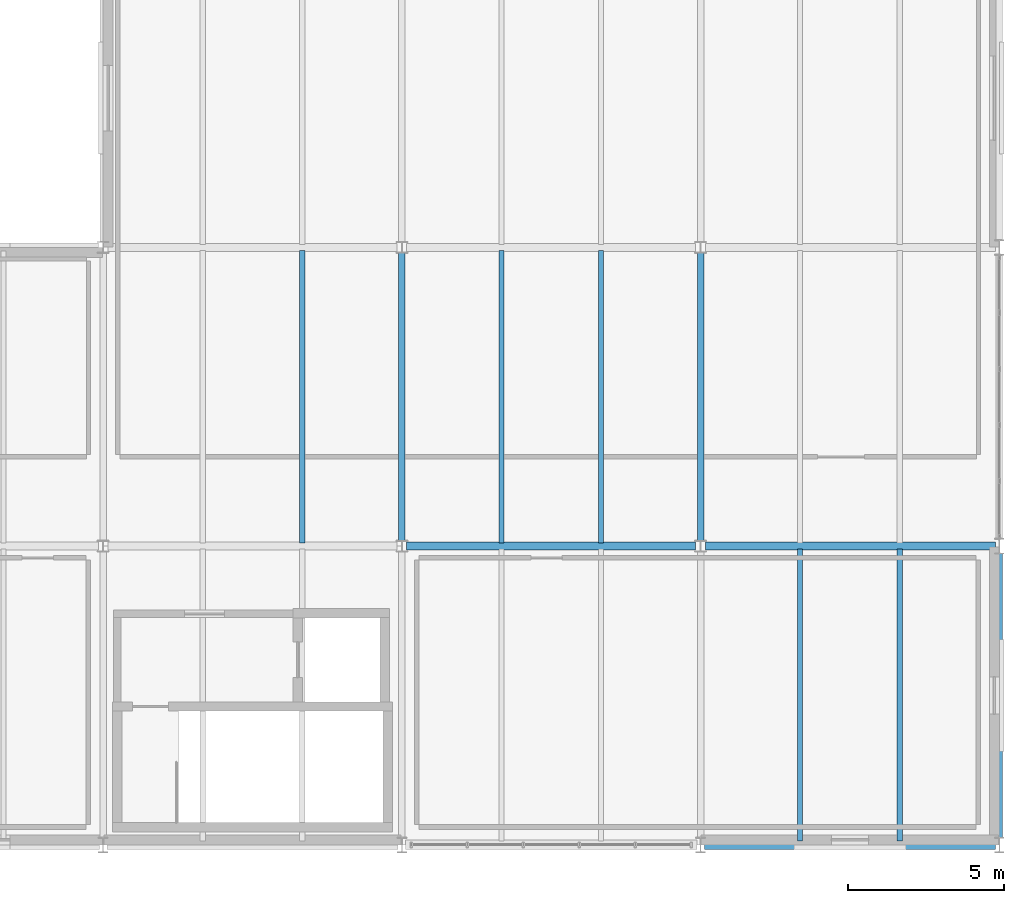
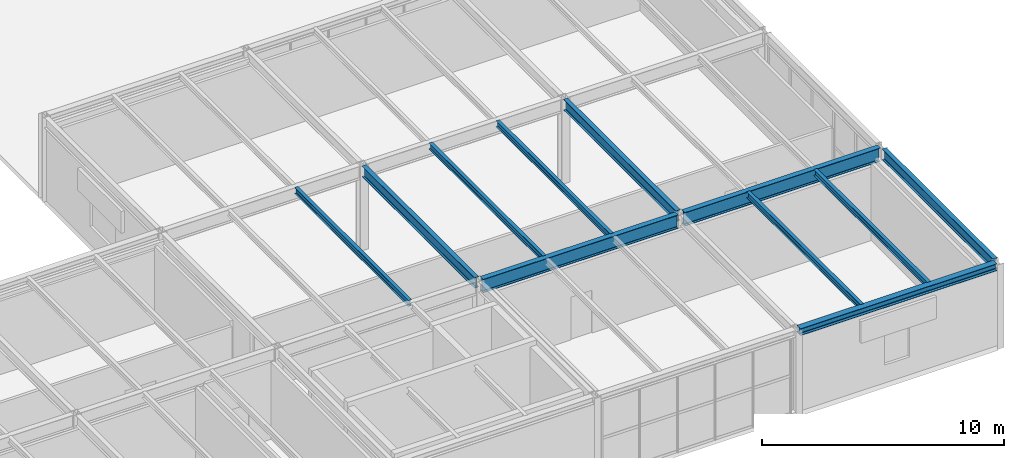
# One storey, part 121 of 170: 11 beams.
"""IFC4 building model written with IfcOpenShell, lengths in metres."""

from ifc_helpers import new_model, si_unit, direction, frame, origin, origin_2d, place, context, subcontext, project, spatial, i_section, extrude, material, material_profile, profile_set, type_object, element, save


model = new_model("IFC4")

# Units and contexts
model_context = context("Model", 3, precision=1e-05, world=origin(), true_north=direction((0.0, 1.0)))
body_context = subcontext(model_context, "Body", "Model", "MODEL_VIEW")
ifc_project = project(units=[si_unit("LENGTHUNIT", "METRE"), si_unit("AREAUNIT", "SQUARE_METRE"), si_unit("VOLUMEUNIT", "CUBIC_METRE"), si_unit("PLANEANGLEUNIT", "RADIAN"), si_unit("MASSUNIT", "GRAM", prefix="KILO")], contexts=[model_context])

# Site, building, storey
site_placement = place(None, origin())
site = spatial("IfcSite", under=ifc_project, at=site_placement, CompositionType="ELEMENT")
building_placement = place(site_placement, origin())
building = spatial("IfcBuilding", under=site, at=building_placement, Name="Coralgate Yard Interchange", CompositionType="ELEMENT")
storey_placement = place(building_placement, frame((0.0, 0.0, 6.0)))
storey = spatial("IfcBuildingStorey", under=building, at=storey_placement, Name="L01", CompositionType="ELEMENT", Elevation=6.0)

# Beams
ifc_material = material(Name="Structural steel S355J2", Category="steel")
ifc_material_profile_1 = material_profile(ifc_material, i_section(OverallWidth=0.209228515625, OverallDepth=0.533203125, WebThickness=0.010009765625, FlangeThickness=0.015625, FilletRadius=0.0126953125, at=origin_2d()), Name="UB 533x210x92")
ifc_profile_set_1 = profile_set([ifc_material_profile_1], Name="Structural steel S355J2")
beam_type_1 = type_object("IfcBeamType", Name="BM-SB-1", PredefinedType="BEAM", material=ifc_profile_set_1)
for number, where, z_axis, x_axis, name in (
    (1, (163.199951171875, 9.754150390625, 3.9833984375), (0.0, 1.0, 0.0), (-1.0, 0.0, 0.0), "L01 primary grid girder X17 Y1-2"),
    (2, (172.800048828125, 9.754150390625, 3.9833984375), (0.0, 1.0, 0.0), (-1.0, 0.0, 0.0), "L01 primary grid girder X18 Y1-2"),
):
    element("IfcBeam", number, at=place(storey_placement, frame(where, z_axis=z_axis, x_axis=x_axis)), inside=storey, type_object=beam_type_1, Name=name, PredefinedType="BEAM", context=body_context, shape_type="SweptSolid", body=[
        extrude(i_section(OverallWidth=0.209228515625, OverallDepth=0.533203125, WebThickness=0.010009765625, FlangeThickness=0.015625, FilletRadius=0.0126953125, at=origin_2d()), origin(), (0.0, 0.0, 1.0), 9.291748046875),
    ])
beam_1_placement = place(storey_placement, frame((182.39990234375, 0.219970703125, 3.9833984375), z_axis=(0.0, 1.0, 0.0), x_axis=(-1.0, 0.0, 0.0)))
element("IfcBeam", 3, at=beam_1_placement, inside=storey, type_object=beam_type_1, Name="L01 primary grid girder X19 Y0-1", PredefinedType="BEAM", context=body_context, shape_type="SweptSolid", body=[
    extrude(i_section(OverallWidth=0.209228515625, OverallDepth=0.533203125, WebThickness=0.010009765625, FlangeThickness=0.015625, FilletRadius=0.0126953125, at=origin_2d()), origin(), (0.0, 0.0, 1.0), 9.159912109375),
])
ifc_material_profile_2 = material_profile(ifc_material, i_section(OverallWidth=0.253662109375, OverallDepth=0.68359375, WebThickness=0.012451171875, FlangeThickness=0.01904296875, FilletRadius=0.01513671875, at=origin_2d()), Name="UB 686x254x140")
ifc_profile_set_2 = profile_set([ifc_material_profile_2], Name="Structural steel S355J2")
beam_type_2 = type_object("IfcBeamType", Name="BM-SG-4", PredefinedType="BEAM", material=ifc_profile_set_2)
beam_2_placement = place(storey_placement, frame((163.356201171875, 9.60009765625, 3.908203125), z_axis=(1.0, 0.0, 0.0), x_axis=(0.0, 1.0, 0.0)))
element("IfcBeam", 4, at=beam_2_placement, inside=storey, type_object=beam_type_2, Name="L01 primary grid beam Y1 X17-18", PredefinedType="BEAM", context=body_context, shape_type="SweptSolid", body=[
    extrude(i_section(OverallWidth=0.253662109375, OverallDepth=0.68359375, WebThickness=0.012451171875, FlangeThickness=0.01904296875, FilletRadius=0.01513671875, at=origin_2d()), origin(), (0.0, 0.0, 1.0), 9.28759765625),
])
beam_3_placement = place(storey_placement, frame((172.956298828125, 9.60009765625, 3.908203125), z_axis=(1.0, 0.0, 0.0), x_axis=(0.0, 1.0, 0.0)))
element("IfcBeam", 5, at=beam_3_placement, inside=storey, type_object=beam_type_2, Name="L01 primary grid beam Y1 X18-19", PredefinedType="BEAM", context=body_context, shape_type="SweptSolid", body=[
    extrude(i_section(OverallWidth=0.253662109375, OverallDepth=0.68359375, WebThickness=0.012451171875, FlangeThickness=0.01904296875, FilletRadius=0.01513671875, at=origin_2d()), origin(), (0.0, 0.0, 1.0), 9.32373046875),
])
ifc_material_profile_3 = material_profile(ifc_material, i_section(OverallWidth=0.1650390625, OverallDepth=0.303466796875, WebThickness=0.006103515625, FlangeThickness=0.01025390625, FilletRadius=0.0087890625, at=origin_2d()), Name="UB 305x165x40")
ifc_profile_set_3 = profile_set([ifc_material_profile_3], Name="Structural steel S355J2")
beam_type_3 = type_object("IfcBeamType", Name="BM-SJ-1", PredefinedType="JOIST", material=ifc_profile_set_3)
for number, where, z_axis, x_axis, name in (
    (6, (160.0, 9.69677734375, 4.098388671875), (0.0, 1.0, 0.0), (-1.0, 0.0, 0.0), "L01 composite floor joist 16-1-2"),
    (7, (166.39990234375, 9.69677734375, 4.098388671875), (0.0, 1.0, 0.0), (-1.0, 0.0, 0.0), "L01 composite floor joist 17-1-1"),
    (8, (169.60009765625, 9.69677734375, 4.098388671875), (0.0, 1.0, 0.0), (-1.0, 0.0, 0.0), "L01 composite floor joist 17-1-2"),
):
    element("IfcBeam", number, at=place(storey_placement, frame(where, z_axis=z_axis, x_axis=x_axis)), inside=storey, type_object=beam_type_3, Name=name, PredefinedType="JOIST", context=body_context, shape_type="SweptSolid", body=[
        extrude(i_section(OverallWidth=0.1650390625, OverallDepth=0.303466796875, WebThickness=0.006103515625, FlangeThickness=0.01025390625, FilletRadius=0.0087890625, at=origin_2d()), origin(), (0.0, 0.0, 1.0), 9.40625),
    ])
for number, where, z_axis, x_axis, name in (
    (9, (176.0, 0.1201171875, 4.098388671875), (0.0, 1.0, 0.0), (-1.0, 0.0, 0.0), "L01 composite floor joist 18-0-1"),
    (10, (179.199951171875, 0.1201171875, 4.098388671875), (0.0, 1.0, 0.0), (-1.0, 0.0, 0.0), "L01 composite floor joist 18-0-2"),
):
    element("IfcBeam", number, at=place(storey_placement, frame(where, z_axis=z_axis, x_axis=x_axis)), inside=storey, type_object=beam_type_3, Name=name, PredefinedType="JOIST", context=body_context, shape_type="SweptSolid", body=[
        extrude(i_section(OverallWidth=0.1650390625, OverallDepth=0.303466796875, WebThickness=0.006103515625, FlangeThickness=0.01025390625, FilletRadius=0.0087890625, at=origin_2d()), origin(), (0.0, 0.0, 1.0), 9.383056640625),
    ])
ifc_material_profile_4 = material_profile(ifc_material, i_section(OverallWidth=0.300048828125, OverallDepth=0.35009765625, WebThickness=0.010009765625, FlangeThickness=0.017578125, FilletRadius=0.027099609375, at=origin_2d()), Name="HEA 360")
ifc_profile_set_4 = profile_set([ifc_material_profile_4], Name="Structural steel S355J2")
beam_type_4 = type_object("IfcBeamType", Name="BM-SP-1", PredefinedType="SPANDREL", material=ifc_profile_set_4)
beam_4_placement = place(storey_placement, frame((172.919921875, 0.0, 4.074951171875), z_axis=(1.0, 0.0, 0.0), x_axis=(0.0, 1.0, 0.0)))
element("IfcBeam", 11, at=beam_4_placement, inside=storey, type_object=beam_type_4, Name="L01 primary grid beam Y0 X18-19", PredefinedType="SPANDREL", context=body_context, shape_type="SweptSolid", body=[
    extrude(i_section(OverallWidth=0.300048828125, OverallDepth=0.35009765625, WebThickness=0.010009765625, FlangeThickness=0.017578125, FilletRadius=0.027099609375, at=origin_2d()), origin(), (0.0, 0.0, 1.0), 9.360107421875),
])

save(model, "model.ifc")
